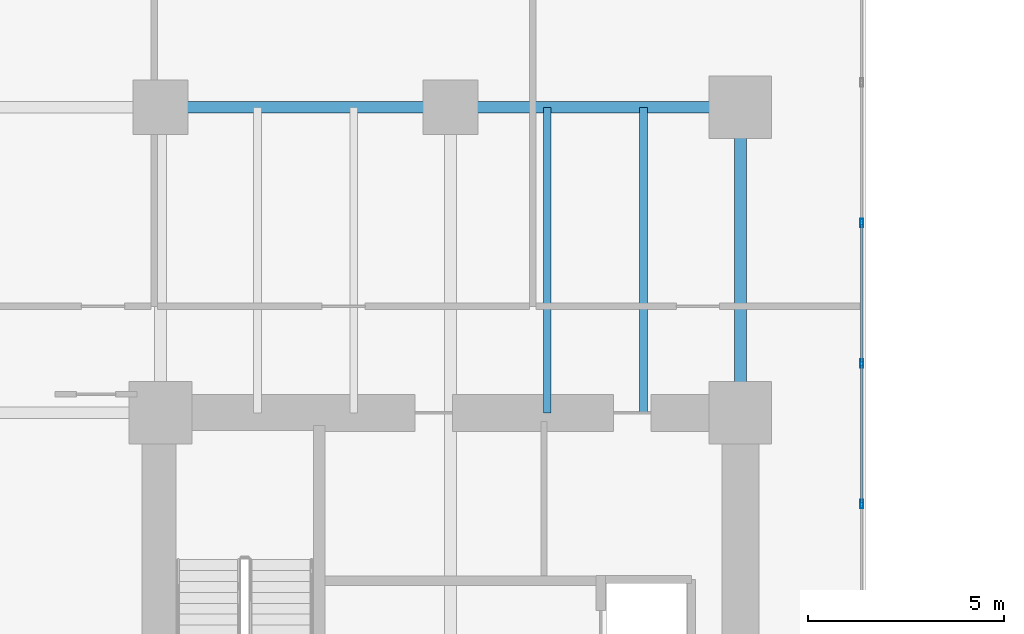
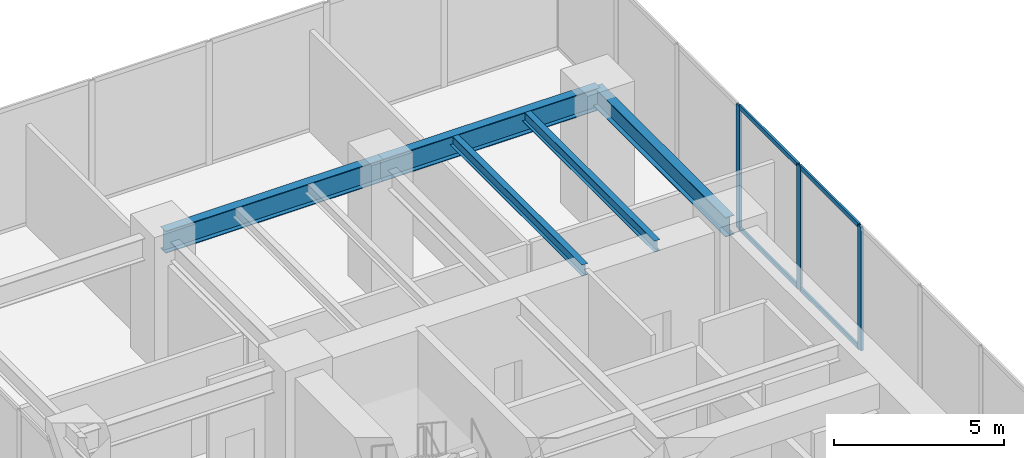
# One storey, part 13 of 32: 7 members, 5 beams, 1 element without a shape of its own.
"""IFC4 building model written with IfcOpenShell, lengths in metres."""

from ifc_helpers import new_model, si_unit, direction, frame, origin, origin_2d, place, context, subcontext, project, spatial, hollow_rectangle, i_section, extrude, source, transform, mapped, material, layer, layer_set, material_profile, profile_set, type_object, type_shapes, element, aggregate, save


model = new_model("IFC4")

# Units and contexts
model_context = context("Model", 3, precision=1e-05, world=origin(), true_north=direction((0.0, 1.0)))
body_context = subcontext(model_context, "Body", "Model", "MODEL_VIEW")
ifc_project = project(units=[si_unit("LENGTHUNIT", "METRE"), si_unit("AREAUNIT", "SQUARE_METRE"), si_unit("VOLUMEUNIT", "CUBIC_METRE"), si_unit("PLANEANGLEUNIT", "RADIAN"), si_unit("MASSUNIT", "GRAM", prefix="KILO")], contexts=[model_context])

# Site, building, storey
site_placement = place(None, origin())
site = spatial("IfcSite", under=ifc_project, at=site_placement, CompositionType="ELEMENT")
building_placement = place(site_placement, origin())
building = spatial("IfcBuilding", under=site, at=building_placement, Name="Haelvirn Gate Laboratories", CompositionType="ELEMENT")
storey_placement = place(building_placement, frame((0.0, 0.0, 5.39990234375)))
storey = spatial("IfcBuildingStorey", under=building, at=storey_placement, Name="L02", CompositionType="ELEMENT", Elevation=5.39990234375)

# Beams
ifc_material_1 = material(Name="Steel SM420", Category="steel")
ifc_material_profile_1 = material_profile(ifc_material_1, i_section(OverallWidth=0.300048828125, OverallDepth=0.800048828125, WebThickness=0.013916015625, FlangeThickness=0.02587890625, at=origin_2d()), Name="H-800x300x14x26")
ifc_profile_set_1 = profile_set([ifc_material_profile_1], Name="Steel SM420")
beam_type_1 = type_object("IfcBeamType", Name="BM-G-800", PredefinedType="BEAM", material=ifc_profile_set_1)
shared_shape_1 = source(origin(), body_context, "Body", "SweptSolid", [
    extrude(i_section(OverallWidth=0.300048828125, OverallDepth=0.800048828125, WebThickness=0.013916015625, FlangeThickness=0.02587890625, at=origin_2d()), origin(), (0.0, 0.0, 1.0), 7.400146484375),
])
beam_1_placement = place(storey_placement, frame((7.39990234375, 41.60009765625, 4.050048828125), z_axis=(1.0, 0.0, 0.0), x_axis=(0.0, 1.0, 0.0)))
element("IfcBeam", 1, at=beam_1_placement, inside=storey, type_object=beam_type_1, Name="L02 Primary Girder Y41.6 (7.4-14.8)", PredefinedType="BEAM", context=body_context, shape_type="MappedRepresentation", body=[
    mapped(shared_shape_1, transform((0.0, 0.0, 0.0), scale=1.0)),
])
shared_shape_2 = source(origin(), body_context, "Body", "SweptSolid", [
    extrude(i_section(OverallWidth=0.300048828125, OverallDepth=0.800048828125, WebThickness=0.013916015625, FlangeThickness=0.02587890625, at=origin_2d()), origin(), (0.0, 0.0, 1.0), 7.39990234375),
])
type_shapes(beam_type_1, [shared_shape_1, shared_shape_2])
beam_2_placement = place(storey_placement, frame((14.800048828125, 41.60009765625, 4.050048828125), z_axis=(1.0, 0.0, 0.0), x_axis=(0.0, 1.0, 0.0)))
element("IfcBeam", 2, at=beam_2_placement, inside=storey, type_object=beam_type_1, Name="L02 Primary Girder Y41.6 (14.8-22.2)", PredefinedType="BEAM", context=body_context, shape_type="MappedRepresentation", body=[
    mapped(shared_shape_2, transform((0.0, 0.0, 0.0), scale=1.0)),
])
ifc_material_2 = material(Name="Steel SM355", Category="steel")
ifc_material_profile_2 = material_profile(ifc_material_2, i_section(OverallWidth=0.199951171875, OverallDepth=0.39990234375, WebThickness=0.008056640625, FlangeThickness=0.012939453125, at=origin_2d()), Name="H-400x200x8x13")
ifc_profile_set_2 = profile_set([ifc_material_profile_2], Name="Steel SM355")
beam_type_2 = type_object("IfcBeamType", Name="BM-J-400", PredefinedType="JOIST", material=ifc_profile_set_2)
shared_shape_3 = source(origin(), body_context, "Body", "SweptSolid", [
    extrude(i_section(OverallWidth=0.199951171875, OverallDepth=0.39990234375, WebThickness=0.008056640625, FlangeThickness=0.012939453125, at=origin_2d()), origin(), (0.0, 0.0, 1.0), 7.800048828125),
])
type_shapes(beam_type_2, [shared_shape_3])
for number, where, z_axis, x_axis, name in (
    (3, (17.27001953125, 33.800048828125, 4.25), (0.0, 1.0, 0.0), (-1.0, 0.0, 0.0), "L02 Composite Lab Joist North X17.27"),
    (4, (19.72998046875, 33.800048828125, 4.25), (0.0, 1.0, 0.0), (-1.0, 0.0, 0.0), "L02 Composite Lab Joist North X19.73"),
):
    element("IfcBeam", number, at=place(storey_placement, frame(where, z_axis=z_axis, x_axis=x_axis)), inside=storey, type_object=beam_type_2, Name=name, PredefinedType="JOIST", context=body_context, shape_type="MappedRepresentation", body=[
        mapped(shared_shape_3, transform((0.0, 0.0, 0.0), scale=1.0)),
    ])
ifc_material_profile_3 = material_profile(ifc_material_2, i_section(OverallWidth=0.300048828125, OverallDepth=0.699951171875, WebThickness=0.012939453125, FlangeThickness=0.02392578125, at=origin_2d()), Name="H-700x300x13x24")
ifc_profile_set_3 = profile_set([ifc_material_profile_3], Name="Steel SM355")
beam_type_3 = type_object("IfcBeamType", Name="BM-G-700", PredefinedType="BEAM", material=ifc_profile_set_3)
shared_shape_4 = source(origin(), body_context, "Body", "SweptSolid", [
    extrude(i_section(OverallWidth=0.300048828125, OverallDepth=0.699951171875, WebThickness=0.012939453125, FlangeThickness=0.02392578125, at=origin_2d()), origin(), (0.0, 0.0, 1.0), 7.800048828125),
])
type_shapes(beam_type_3, [shared_shape_4])
beam_3_placement = place(storey_placement, frame((22.199951171875, 33.800048828125, 4.10009765625), z_axis=(0.0, 1.0, 0.0), x_axis=(-1.0, 0.0, 0.0)))
element("IfcBeam", 5, at=beam_3_placement, inside=storey, type_object=beam_type_3, Name="L02 Frame Girder X22.2 (33.8-41.6)", PredefinedType="BEAM", context=body_context, shape_type="MappedRepresentation", body=[
    mapped(shared_shape_4, transform((0.0, 0.0, 0.0), scale=1.0)),
])

# Curtain wall, members
ifc_material_3 = material(Name="Anodised bronze unitised aluminium & triple low-E glass", Category="aluminium")
ifc_layer = layer(ifc_material_3, 0.18798828125, Name="CW-SYS-1")
ifc_layer_set = layer_set([ifc_layer], Name="Anodised bronze unitised aluminium & triple low-E glass")
curtain_wall_type = type_object("IfcCurtainWallType", Name="CW-SYS-1", PredefinedType="NOTDEFINED", material=ifc_layer_set)
curtain_wall_placement = place(storey_placement, origin())
curtain_wall = element("IfcCurtainWall", 6, at=curtain_wall_placement, inside=storey, type_object=curtain_wall_type, Name="L02 Unitised Curtain Wall CW-L02-P0-E01", PredefinedType="NOTDEFINED")
ifc_material_4 = material(Name="Extruded aluminium 6063-T6 (anodised bronze)", Category="aluminium")
ifc_material_profile_4 = material_profile(ifc_material_4, hollow_rectangle(XDim=0.080078125, YDim=0.219970703125, WallThickness=0.006103515625, at=origin_2d()), Name="CWM-220x80x6")
ifc_profile_set_4 = profile_set([ifc_material_profile_4], Name="Extruded aluminium 6063-T6 (anodised bronze)")
member_type_1 = type_object("IfcMemberType", Name="CWM-T220", PredefinedType="MULLION", material=ifc_profile_set_4)
shared_shape_5 = source(origin(), body_context, "Body", "SweptSolid", [
    extrude(hollow_rectangle(XDim=0.080078125, YDim=0.219970703125, WallThickness=0.006103515625, at=origin_2d()), origin(), (0.0, 0.0, 1.0), 4.4501953125),
])
type_shapes(member_type_1, [shared_shape_5])
member_1_placement = place(storey_placement, frame((25.300048828125, 31.471435546875, 0.0), z_axis=(0.0, 0.0, 1.0), x_axis=(-1.0, 0.0, 0.0)))
member_1 = element("IfcMember", 7, at=member_1_placement, type_object=member_type_1, Name="CW1 mullion 10", PredefinedType="MULLION", context=body_context, shape_type="MappedRepresentation", body=[
    mapped(shared_shape_5, transform((0.0, 0.0, 0.0), scale=1.0)),
])
member_2_placement = place(storey_placement, frame((25.300048828125, 35.05712890625, 0.0), z_axis=(0.0, 0.0, 1.0), x_axis=(-1.0, 0.0, 0.0)))
member_2 = element("IfcMember", 8, at=member_2_placement, type_object=member_type_1, Name="CW1 mullion 11", PredefinedType="MULLION", context=body_context, shape_type="MappedRepresentation", body=[
    mapped(shared_shape_5, transform((0.0, 0.0, 0.0), scale=1.0)),
])
member_3_placement = place(storey_placement, frame((25.300048828125, 38.642822265625, 0.0), z_axis=(0.0, 0.0, 1.0), x_axis=(-1.0, 0.0, 0.0)))
member_3 = element("IfcMember", 9, at=member_3_placement, type_object=member_type_1, Name="CW1 mullion 12", PredefinedType="MULLION", context=body_context, shape_type="MappedRepresentation", body=[
    mapped(shared_shape_5, transform((0.0, 0.0, 0.0), scale=1.0)),
])
ifc_material_profile_5 = material_profile(ifc_material_4, hollow_rectangle(XDim=0.070068359375, YDim=0.159912109375, WallThickness=0.0048828125, at=origin_2d()), Name="CWT-160x70x5")
ifc_profile_set_5 = profile_set([ifc_material_profile_5], Name="Extruded aluminium 6063-T6 (anodised bronze)")
member_type_2 = type_object("IfcMemberType", Name="CWT-T160", PredefinedType="USERDEFINED", material=ifc_profile_set_5)
shared_shape_6 = source(origin(), body_context, "Body", "SweptSolid", [
    extrude(hollow_rectangle(XDim=0.070068359375, YDim=0.159912109375, WallThickness=0.0048828125, at=origin_2d()), origin(), (0.0, 0.0, 1.0), 3.505615234375),
])
type_shapes(member_type_2, [shared_shape_6])
member_4_placement = place(storey_placement, frame((25.300048828125, 31.511474609375, 0.03515625), z_axis=(0.0, 1.0, 0.0), x_axis=(-1.0, 0.0, 0.0)))
member_4 = element("IfcMember", 10, at=member_4_placement, type_object=member_type_2, Name="CW1 transom 10.1", ObjectType="TRANSOM", PredefinedType="USERDEFINED", context=body_context, shape_type="MappedRepresentation", body=[
    mapped(shared_shape_6, transform((0.0, 0.0, 0.0), scale=1.0)),
])
member_5_placement = place(storey_placement, frame((25.300048828125, 31.511474609375, 4.4150390625), z_axis=(0.0, 1.0, 0.0), x_axis=(-1.0, 0.0, 0.0)))
member_5 = element("IfcMember", 11, at=member_5_placement, type_object=member_type_2, Name="CW1 transom 10.2", ObjectType="TRANSOM", PredefinedType="USERDEFINED", context=body_context, shape_type="MappedRepresentation", body=[
    mapped(shared_shape_6, transform((0.0, 0.0, 0.0), scale=1.0)),
])
member_6_placement = place(storey_placement, frame((25.300048828125, 35.09716796875, 0.03515625), z_axis=(0.0, 1.0, 0.0), x_axis=(-1.0, 0.0, 0.0)))
member_6 = element("IfcMember", 12, at=member_6_placement, type_object=member_type_2, Name="CW1 transom 11.1", ObjectType="TRANSOM", PredefinedType="USERDEFINED", context=body_context, shape_type="MappedRepresentation", body=[
    mapped(shared_shape_6, transform((0.0, 0.0, 0.0), scale=1.0)),
])
member_7_placement = place(storey_placement, frame((25.300048828125, 35.09716796875, 4.4150390625), z_axis=(0.0, 1.0, 0.0), x_axis=(-1.0, 0.0, 0.0)))
member_7 = element("IfcMember", 13, at=member_7_placement, type_object=member_type_2, Name="CW1 transom 11.2", ObjectType="TRANSOM", PredefinedType="USERDEFINED", context=body_context, shape_type="MappedRepresentation", body=[
    mapped(shared_shape_6, transform((0.0, 0.0, 0.0), scale=1.0)),
])
aggregate(curtain_wall, [member_1, member_2, member_3, member_4, member_5, member_6, member_7])

save(model, "model.ifc")
